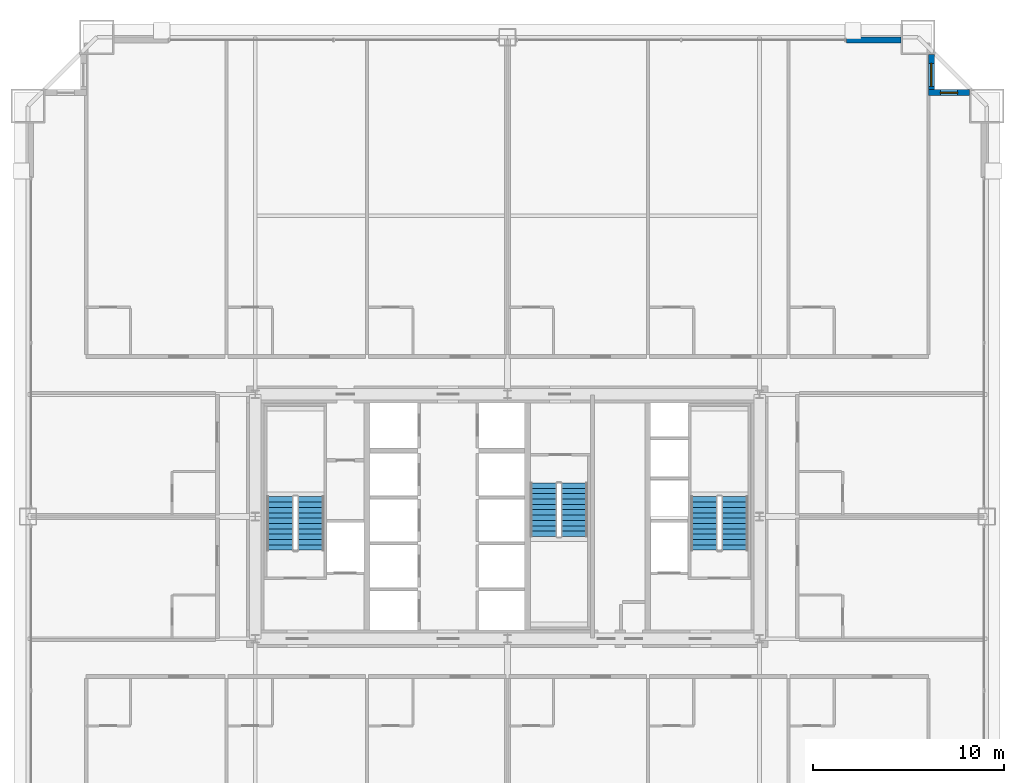
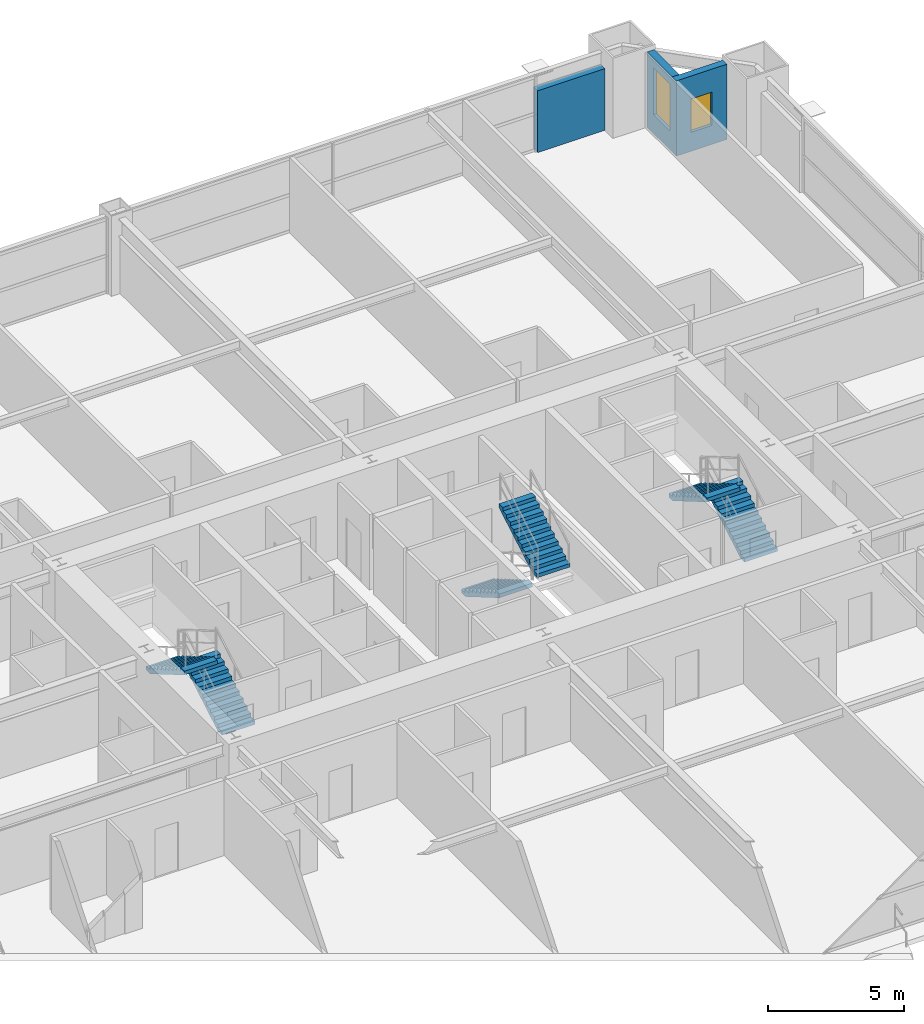
# One storey, part 44 of 45: 6 stair flights, 3 walls, 2 windows, 2 openings, 3 elements without a shape of their own.
"""IFC4 building model written with IfcOpenShell, lengths in metres."""

from ifc_helpers import new_model, si_unit, direction, frame, frame_2d, origin, place, context, subcontext, project, spatial, polyline, rectangle, outline, extrude, source, transform, mapped, material, layer, layer_set, type_object, element, fill, aggregate, save


model = new_model("IFC4")

# Units and contexts
model_context = context("Model", 3, precision=1e-05, world=origin(), true_north=direction((0.0, 1.0)))
body_context = subcontext(model_context, "Body", "Model", "MODEL_VIEW")
ifc_project = project(units=[si_unit("LENGTHUNIT", "METRE"), si_unit("AREAUNIT", "SQUARE_METRE"), si_unit("VOLUMEUNIT", "CUBIC_METRE"), si_unit("PLANEANGLEUNIT", "RADIAN"), si_unit("MASSUNIT", "GRAM", prefix="KILO"), si_unit("THERMODYNAMICTEMPERATUREUNIT", "KELVIN"), si_unit("POWERUNIT", "WATT")], contexts=[model_context])

# Site, building, storey
site_placement = place(None, origin())
site = spatial("IfcSite", under=ifc_project, at=site_placement, CompositionType="ELEMENT")
building_placement = place(site_placement, origin())
building = spatial("IfcBuilding", under=site, at=building_placement, Name="Yuzanri Waterfront Tower", CompositionType="ELEMENT")
storey_placement = place(building_placement, frame((0.0, 0.0, 34.199951171875)))
storey = spatial("IfcBuildingStorey", under=building, at=storey_placement, Name="L08", CompositionType="ELEMENT", Elevation=34.199951171875)

# Wall, opening, window
ifc_material_1 = material(Name="Honed Chongqing Dark Basalt Stone", Category="masonry")
ifc_layer = layer(ifc_material_1, 0.300048828125)
ifc_layer_set = layer_set([ifc_layer], Name="Honed Chongqing Dark Basalt Stone")
wall_type = type_object("IfcWallType", Name="Bronze Rainscreen Insulated Spandrel Portal Wall 300", PredefinedType="SOLIDWALL", material=ifc_layer_set)
wall_1_placement = place(storey_placement, frame((61.199951171875, 48.0, 0.0), z_axis=(0.0, 0.0, 1.0), x_axis=(-1.0, 0.0, 0.0)))
wall_1 = element("IfcWall", 1, at=wall_1_placement, inside=storey, type_object=wall_type, Name="L08 Notched Corner Masonry Wall NE-X", PredefinedType="SOLIDWALL", context=body_context, shape_type="SweptSolid", body=[
    extrude(rectangle(XDim=2.14990234375, YDim=0.300048828125, at=frame_2d((1.074951171875, 0.0))), origin(), (0.0, 0.0, 1.0), 3.380126953125),
])
opening_1_placement = place(wall_1_placement, frame((0.625, 0.0, 0.85009765625)))
opening_1 = element("IfcOpeningElement", 2, at=opening_1_placement, cuts=wall_1, Name="Opening WN-05", PredefinedType="OPENING", context=body_context, shape_type="SweptSolid", body=[
    extrude(rectangle(XDim=0.89990234375, YDim=1.5, at=frame_2d((0.449951171875, 0.75))), frame((0.0, 0.1650390625, 0.0), z_axis=(0.0, -1.0, 0.0), x_axis=(1.0, 0.0, 0.0)), (0.0, 0.0, 1.0), 0.329833984375),
])
ifc_material_2 = material(Name="Double-Silver Low-E Insulated Glass", Category="glass")
window_type_1 = type_object("IfcWindowType", Name="Anodized Bronze Service and Stairwell Smoke-Vent Window 900x1500", PartitioningType="SINGLE_PANEL", PredefinedType="WINDOW", material=ifc_material_2)
shared_shape_1 = source(origin(), body_context, "Body", "SweptSolid", [
    extrude(rectangle(XDim=0.89990234375, YDim=1.5, at=frame_2d((0.449951171875, 0.75))), frame((0.0, 0.030029296875, 0.0), z_axis=(0.0, -1.0, 0.0), x_axis=(1.0, 0.0, 0.0)), (0.0, 0.0, 1.0), 0.06005859375),
])
window_1_placement = place(opening_1_placement, origin())
window_1 = element("IfcWindow", 3, at=window_1_placement, inside=storey, type_object=window_type_1, Name="L08 Notched Corner Window NE-X", OverallHeight=1.5, OverallWidth=0.89990234375, PartitioningType="SINGLE_PANEL", PredefinedType="WINDOW", context=body_context, shape_type="MappedRepresentation", body=[
    mapped(shared_shape_1, transform((0.0, 0.0, 0.0), scale=1.0)),
])
fill(opening_1, window_1)

wall_2_placement = place(storey_placement, frame((59.199951171875, 47.85009765625, 0.0), z_axis=(0.0, 0.0, 1.0), x_axis=(0.0, 1.0, 0.0)))
wall_2 = element("IfcWall", 4, at=wall_2_placement, inside=storey, type_object=wall_type, Name="L08 Notched Corner Masonry Wall NE-Y", PredefinedType="SOLIDWALL", context=body_context, shape_type="SweptSolid", body=[
    extrude(rectangle(XDim=2.14990234375, YDim=0.300048828125, at=frame_2d((1.074951171875, 0.0))), origin(), (0.0, 0.0, 1.0), 3.380126953125),
])
opening_2_placement = place(wall_2_placement, frame((0.47509765625, 0.0, 0.85009765625)))
opening_2 = element("IfcOpeningElement", 5, at=opening_2_placement, cuts=wall_2, Name="Opening WN-02", PredefinedType="OPENING", context=body_context, shape_type="SweptSolid", body=[
    extrude(rectangle(XDim=1.199951171875, YDim=2.10009765625, at=frame_2d((0.60009765625, 1.050048828125))), frame((0.0, 0.1650390625, 0.0), z_axis=(0.0, -1.0, 0.0), x_axis=(1.0, 0.0, 0.0)), (0.0, 0.0, 1.0), 0.329833984375),
])
ifc_material_3 = material(Name="Double-Silver Low-E Insulated Glass", Category="glass")
window_type_2 = type_object("IfcWindowType", Name="Anodized Bronze Notched Corner Deep-Set Slot Window 1200x2100", PartitioningType="SINGLE_PANEL", PredefinedType="WINDOW", material=ifc_material_3)
shared_shape_2 = source(origin(), body_context, "Body", "SweptSolid", [
    extrude(rectangle(XDim=1.199951171875, YDim=2.10009765625, at=frame_2d((0.60009765625, 1.050048828125))), frame((0.0, 0.030029296875, 0.0), z_axis=(0.0, -1.0, 0.0), x_axis=(1.0, 0.0, 0.0)), (0.0, 0.0, 1.0), 0.06005859375),
])
window_2_placement = place(opening_2_placement, origin())
window_2 = element("IfcWindow", 6, at=window_2_placement, inside=storey, type_object=window_type_2, Name="L08 Notched Corner Window NE-Y", OverallHeight=2.10009765625, OverallWidth=1.199951171875, PartitioningType="SINGLE_PANEL", PredefinedType="WINDOW", context=body_context, shape_type="MappedRepresentation", body=[
    mapped(shared_shape_2, transform((0.0, 0.0, 0.0), scale=1.0)),
])
fill(opening_2, window_2)

# Wall
shared_shape_3 = source(origin(), body_context, "Body", "SweptSolid", [
    extrude(rectangle(XDim=2.85009765625, YDim=0.300048828125, at=frame_2d((1.425048828125, 0.0))), origin(), (0.0, 0.0, 1.0), 2.775146484375),
])
wall_3_placement = place(storey_placement, frame((54.75, 50.75, 0.0), z_axis=(0.0, 0.0, 1.0), x_axis=(1.0, 0.0, 0.0)))
element("IfcWall", 7, at=wall_3_placement, inside=storey, type_object=wall_type, Name="L08 N Right Braced Masonry Shoulder", PredefinedType="SOLIDWALL", context=body_context, shape_type="MappedRepresentation", body=[
    mapped(shared_shape_3, transform((0.0, 0.0, 0.0), scale=1.0)),
])

# Stair, stair flights
ifc_material_4 = material(Name="Concrete C40", Category="concrete")
stair_type = type_object("IfcStairType", Name="Concrete C40 Core Dogleg Exit Stair", PredefinedType="HALF_TURN_STAIR", material=ifc_material_4)
stair_1_placement = place(storey_placement, origin())
stair_1 = element("IfcStair", 8, at=stair_1_placement, inside=storey, type_object=stair_type, Name="L08 Smoke-Proof Core Stair ST-01", PredefinedType="HALF_TURN_STAIR")
ifc_material_5 = material(Name="Concrete C40", Category="concrete")
stair_flight_type = type_object("IfcStairFlightType", Name="Concrete C40 Precast Stair Flight 1380", PredefinedType="STRAIGHT", material=ifc_material_5)
shared_shape_4 = source(origin(), body_context, "Body", "SweptSolid", [
    extrude(outline(polyline([(0.0, 0.0), (0.0, 0.16357421875), (0.280029296875, 0.16357421875), (0.280029296875, 0.327392578125), (0.56005859375, 0.327392578125), (0.56005859375, 0.490966796875), (0.840087890625, 0.490966796875), (0.840087890625, 0.654541015625), (1.1201171875, 0.654541015625), (1.1201171875, 0.818115234375), (1.39990234375, 0.818115234375), (1.39990234375, 0.98193359375), (1.679931640625, 0.98193359375), (1.679931640625, 1.1455078125), (1.9599609375, 1.1455078125), (1.9599609375, 1.30908203125), (2.239990234375, 1.30908203125), (2.239990234375, 1.47265625), (2.52001953125, 1.47265625), (2.52001953125, 1.636474609375), (2.800048828125, 1.636474609375), (2.800048828125, 1.800048828125), (2.800048828125, 1.462646484375), (0.297119140625, 0.0), (0.0, 0.0)])), frame((0.0, 0.699951171875, 0.0), z_axis=(0.0, -1.0, 0.0), x_axis=(1.0, 0.0, 0.0)), (0.0, 0.0, 1.0), 1.39990234375),
])
stair_flight_1_placement = place(storey_placement, frame((26.699951171875, 24.0400390625, 0.0), z_axis=(0.0, 0.0, 1.0), x_axis=(0.0, 1.0, 0.0)))
stair_flight_1 = element("IfcStairFlight", 9, at=stair_flight_1_placement, type_object=stair_flight_type, Name="ST-01 flight 1", NumberOfRisers=11, NumberOfTreads=10, PredefinedType="STRAIGHT", RiserHeight=0.163636364, TreadLength=0.28, context=body_context, shape_type="MappedRepresentation", body=[
    mapped(shared_shape_4, transform((0.0, 0.0, 0.0), scale=1.0)),
])
stair_flight_2_placement = place(storey_placement, frame((25.10009765625, 26.840087890625, 1.800048828125), z_axis=(0.0, 0.0, 1.0), x_axis=(0.0, -1.0, 0.0)))
stair_flight_2 = element("IfcStairFlight", 10, at=stair_flight_2_placement, type_object=stair_flight_type, Name="ST-01 flight 2", NumberOfRisers=11, NumberOfTreads=10, PredefinedType="STRAIGHT", RiserHeight=0.163636364, TreadLength=0.28, context=body_context, shape_type="MappedRepresentation", body=[
    mapped(shared_shape_4, transform((0.0, 0.0, 0.0), scale=1.0)),
])
aggregate(stair_1, [stair_flight_1, stair_flight_2])

stair_2_placement = place(storey_placement, origin())
stair_2 = element("IfcStair", 11, at=stair_2_placement, inside=storey, type_object=stair_type, Name="L08 Smoke-Proof Core Stair ST-02", PredefinedType="HALF_TURN_STAIR")
stair_flight_3_placement = place(storey_placement, frame((48.89990234375, 24.0400390625, 0.0), z_axis=(0.0, 0.0, 1.0), x_axis=(0.0, 1.0, 0.0)))
stair_flight_3 = element("IfcStairFlight", 12, at=stair_flight_3_placement, type_object=stair_flight_type, Name="ST-02 flight 1", NumberOfRisers=11, NumberOfTreads=10, PredefinedType="STRAIGHT", RiserHeight=0.163636364, TreadLength=0.28, context=body_context, shape_type="MappedRepresentation", body=[
    mapped(shared_shape_4, transform((0.0, 0.0, 0.0), scale=1.0)),
])
stair_flight_4_placement = place(storey_placement, frame((47.300048828125, 26.840087890625, 1.800048828125), z_axis=(0.0, 0.0, 1.0), x_axis=(0.0, -1.0, 0.0)))
stair_flight_4 = element("IfcStairFlight", 13, at=stair_flight_4_placement, type_object=stair_flight_type, Name="ST-02 flight 2", NumberOfRisers=11, NumberOfTreads=10, PredefinedType="STRAIGHT", RiserHeight=0.163636364, TreadLength=0.28, context=body_context, shape_type="MappedRepresentation", body=[
    mapped(shared_shape_4, transform((0.0, 0.0, 0.0), scale=1.0)),
])
aggregate(stair_2, [stair_flight_3, stair_flight_4])

stair_3_placement = place(storey_placement, origin())
stair_3 = element("IfcStair", 14, at=stair_3_placement, inside=storey, type_object=stair_type, Name="L08 Smoke-Proof Core Stair ST-03", PredefinedType="HALF_TURN_STAIR")
stair_flight_5_placement = place(storey_placement, frame((38.89990234375, 27.56005859375, 0.0), z_axis=(0.0, 0.0, 1.0), x_axis=(0.0, -1.0, 0.0)))
stair_flight_5 = element("IfcStairFlight", 15, at=stair_flight_5_placement, type_object=stair_flight_type, Name="ST-03 flight 1", NumberOfRisers=11, NumberOfTreads=10, PredefinedType="STRAIGHT", RiserHeight=0.163636364, TreadLength=0.28, context=body_context, shape_type="MappedRepresentation", body=[
    mapped(shared_shape_4, transform((0.0, 0.0, 0.0), scale=1.0)),
])
stair_flight_6_placement = place(storey_placement, frame((40.5, 24.760009765625, 1.800048828125), z_axis=(0.0, 0.0, 1.0), x_axis=(0.0, 1.0, 0.0)))
stair_flight_6 = element("IfcStairFlight", 16, at=stair_flight_6_placement, type_object=stair_flight_type, Name="ST-03 flight 2", NumberOfRisers=11, NumberOfTreads=10, PredefinedType="STRAIGHT", RiserHeight=0.163636364, TreadLength=0.28, context=body_context, shape_type="MappedRepresentation", body=[
    mapped(shared_shape_4, transform((0.0, 0.0, 0.0), scale=1.0)),
])
aggregate(stair_3, [stair_flight_5, stair_flight_6])

save(model, "model.ifc")
